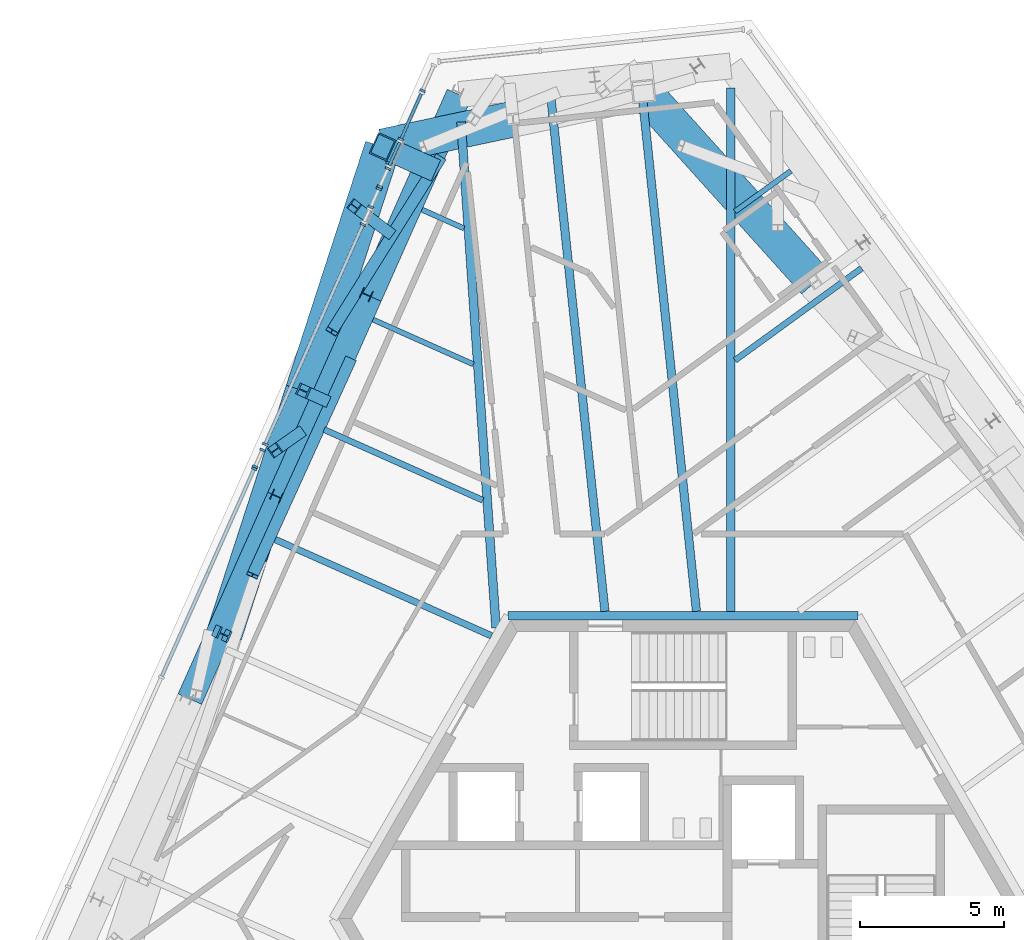
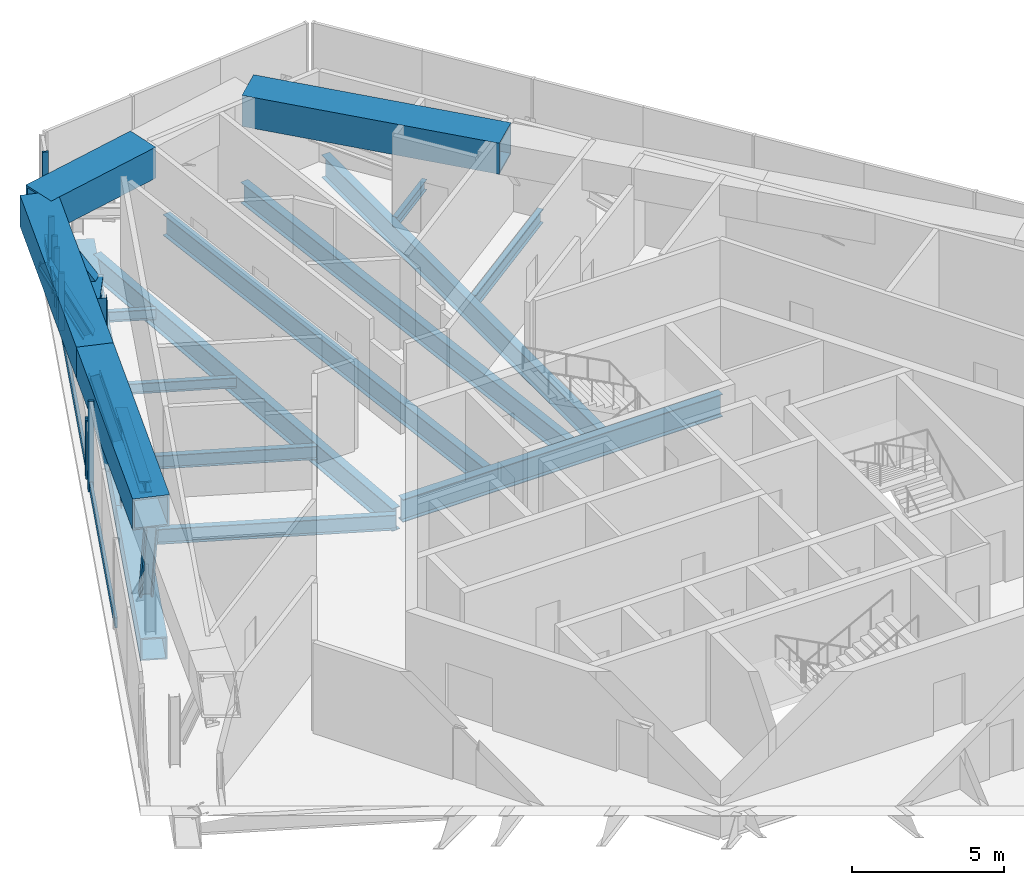
# One storey, part 6 of 23: 31 members, 11 beams, 8 elements without a shape of their own.
"""IFC4 building model written with IfcOpenShell, lengths in metres."""

from ifc_helpers import new_model, si_unit, direction, frame, origin, origin_2d, place, context, subcontext, project, spatial, rectangle, hollow_rectangle, i_section, extrude, source, transform, mapped, material, material_profile, profile_set, type_object, element, aggregate, save


model = new_model("IFC4")

# Units and contexts
model_context = context("Model", 3, precision=1e-05, world=origin(), true_north=direction((0.0, 1.0)))
body_context = subcontext(model_context, "Body", "Model", "MODEL_VIEW")
ifc_project = project(units=[si_unit("LENGTHUNIT", "METRE"), si_unit("AREAUNIT", "SQUARE_METRE"), si_unit("VOLUMEUNIT", "CUBIC_METRE"), si_unit("PLANEANGLEUNIT", "RADIAN"), si_unit("MASSUNIT", "GRAM", prefix="KILO")], contexts=[model_context])

# Site, building, storey
site_placement = place(None, origin())
site = spatial("IfcSite", under=ifc_project, at=site_placement, CompositionType="ELEMENT")
building_placement = place(site_placement, origin())
building = spatial("IfcBuilding", under=site, at=building_placement, Name="Triune Harvest Tower", CompositionType="ELEMENT")
storey_placement = place(building_placement, frame((0.0, 0.0, 255.699951171875)))
storey = spatial("IfcBuildingStorey", under=building, at=storey_placement, Name="L67", CompositionType="ELEMENT", Elevation=255.699951171875)

# Beams
ifc_material_1 = material(Name="Steel ASTM A992 Gr 50", Category="steel")
ifc_material_profile_1 = material_profile(ifc_material_1, i_section(OverallWidth=0.3046875, OverallDepth=0.914306640625, WebThickness=0.0166015625, FlangeThickness=0.02587890625, at=origin_2d()), Name="W36x160")
ifc_profile_set_1 = profile_set([ifc_material_profile_1], Name="Steel ASTM A992 Gr 50")
beam_type_1 = type_object("IfcBeamType", Name="HG-3 Hip girder W36x160", PredefinedType="BEAM", material=ifc_profile_set_1)
beam_1_placement = place(storey_placement, frame((-7.726806640625, 27.73095703125, -0.70703125), z_axis=(0.069123488328, -0.997608111114, 0.0), x_axis=(0.997608111114, 0.069123488328, 0.0)))
element("IfcBeam", 1, at=beam_1_placement, inside=storey, type_object=beam_type_1, Name="beam/L67/HG4", PredefinedType="BEAM", context=body_context, shape_type="SweptSolid", body=[
    extrude(i_section(OverallWidth=0.3046875, OverallDepth=0.914306640625, WebThickness=0.0166015625, FlangeThickness=0.02587890625, at=origin_2d()), origin(), (0.0, 0.0, 1.0), 17.649169921875),
])
ifc_material_2 = material(Name="Steel ASTM A992 Gr 50", Category="steel")
ifc_material_profile_2 = material_profile(ifc_material_2, i_section(OverallWidth=0.180908203125, OverallDepth=0.41650390625, WebThickness=0.010986328125, FlangeThickness=0.01806640625, at=origin_2d()), Name="W16x57")
ifc_profile_set_2 = profile_set([ifc_material_profile_2], Name="Steel ASTM A992 Gr 50")
beam_type_2 = type_object("IfcBeamType", Name="JT-1 Floor joist W16x57", PredefinedType="JOIST", material=ifc_profile_set_2)
beam_2_placement = place(storey_placement, frame((-9.085693359375, 24.6787109375, -0.458251953125), z_axis=(0.913509479616, -0.406817441431, 0.0), x_axis=(0.406817441431, 0.913509479616, 0.0)))
element("IfcBeam", 2, at=beam_2_placement, inside=storey, type_object=beam_type_2, Name="beam/L67/JT13", PredefinedType="JOIST", context=body_context, shape_type="SweptSolid", body=[
    extrude(i_section(OverallWidth=0.180908203125, OverallDepth=0.41650390625, WebThickness=0.010986328125, FlangeThickness=0.01806640625, at=origin_2d()), origin(), (0.0, 0.0, 1.0), 1.60107421875),
])
ifc_material_3 = material(Name="Steel ASTM A992 Gr 50", Category="steel")
ifc_material_profile_3 = material_profile(ifc_material_3, i_section(OverallWidth=0.2099609375, OverallDepth=0.535888671875, WebThickness=0.010986328125, FlangeThickness=0.017333984375, at=origin_2d()), Name="W21x68")
ifc_profile_set_3 = profile_set([ifc_material_profile_3], Name="Steel ASTM A992 Gr 50")
beam_type_3 = type_object("IfcBeamType", Name="JT-2 Floor joist W21x68", PredefinedType="JOIST", material=ifc_profile_set_3)
beam_3_placement = place(storey_placement, frame((6.218505859375, 22.6396484375, -0.51806640625), z_axis=(-0.809032449781, -0.587763979163, 0.0), x_axis=(0.587763979163, -0.809032449781, 0.0)))
element("IfcBeam", 3, at=beam_3_placement, inside=storey, type_object=beam_type_3, Name="beam/L67/JT9", PredefinedType="JOIST", context=body_context, shape_type="SweptSolid", body=[
    extrude(i_section(OverallWidth=0.2099609375, OverallDepth=0.535888671875, WebThickness=0.010986328125, FlangeThickness=0.017333984375, at=origin_2d()), origin(), (0.0, 0.0, 1.0), 5.448486328125),
])

# Curtain wall, member
ifc_material_4 = material(Name="Aluminium bronze anodised", Category="aluminium")
curtain_wall_type = type_object("IfcCurtainWallType", Name="CW-5 Plant louvre wall", PredefinedType="NOTDEFINED", material=ifc_material_4)
curtain_wall_1_placement = place(storey_placement, origin())
curtain_wall_1 = element("IfcCurtainWall", 4, at=curtain_wall_1_placement, inside=storey, type_object=curtain_wall_type, Name="CW-5 B6-F3 L67 run 101")
ifc_material_5 = material(Name="Aluminium bronze anodised", Category="aluminium")
ifc_material_profile_4 = material_profile(ifc_material_5, rectangle(XDim=0.10009765625, YDim=0.39990234375, at=origin_2d()), Name="TR-5 transom 100 x 400")
ifc_profile_set_4 = profile_set([ifc_material_profile_4], Name="Aluminium bronze anodised")
member_type_1 = type_object("IfcMemberType", Name="TR-5 transom 100 x 400", PredefinedType="USERDEFINED", material=ifc_profile_set_4)
member_1_placement = place(storey_placement, frame((-9.113525390625, 28.711181640625, 0.199951171875), z_axis=(-0.406700800519, -0.913561414935, 0.0), x_axis=(0.913561414935, -0.406700800519, 0.0)))
member_1 = element("IfcMember", 5, at=member_1_placement, type_object=member_type_1, Name="CW-5 transom B6-F3 101.1", ObjectType="TRANSOM", PredefinedType="USERDEFINED", context=body_context, shape_type="SweptSolid", body=[
    extrude(rectangle(XDim=0.10009765625, YDim=0.39990234375, at=origin_2d()), origin(), (0.0, 0.0, 1.0), 1.691650390625),
])

curtain_wall_2_placement = place(storey_placement, origin())
curtain_wall_2 = element("IfcCurtainWall", 6, at=curtain_wall_2_placement, inside=storey, type_object=curtain_wall_type, Name="CW-5 B6-F3 L67 run 201")
member_2_placement = place(storey_placement, frame((-9.866455078125, 27.019775390625, 0.199951171875), z_axis=(-0.40681145616, -0.913512145041, 0.0), x_axis=(0.913512145041, -0.40681145616, 0.0)))
member_2 = element("IfcMember", 7, at=member_2_placement, type_object=member_type_1, Name="CW-5 transom B6-F3 201.1", ObjectType="TRANSOM", PredefinedType="USERDEFINED", context=body_context, shape_type="SweptSolid", body=[
    extrude(rectangle(XDim=0.10009765625, YDim=0.39990234375, at=origin_2d()), origin(), (0.0, 0.0, 1.0), 0.875),
])
aggregate(curtain_wall_2, [member_2])

curtain_wall_3_placement = place(storey_placement, origin())
curtain_wall_3 = element("IfcCurtainWall", 8, at=curtain_wall_3_placement, inside=storey, type_object=curtain_wall_type, Name="CW-5 B6-F3 L67 run 601")
member_3_placement = place(storey_placement, frame((-11.15478515625, 24.126220703125, 0.199951171875), z_axis=(-0.406758322302, -0.913535805121, 0.0), x_axis=(0.913535805121, -0.406758322302, 0.0)))
member_3 = element("IfcMember", 9, at=member_3_placement, type_object=member_type_1, Name="CW-5 transom B6-F3 601.1", ObjectType="TRANSOM", PredefinedType="USERDEFINED", context=body_context, shape_type="SweptSolid", body=[
    extrude(rectangle(XDim=0.10009765625, YDim=0.39990234375, at=origin_2d()), origin(), (0.0, 0.0, 1.0), 8.294189453125),
])

# Beams
ifc_material_6 = material(Name="Steel ASTM A992 Gr 50", Category="steel")
ifc_material_profile_5 = material_profile(ifc_material_6, i_section(OverallWidth=0.3046875, OverallDepth=0.914306640625, WebThickness=0.0166015625, FlangeThickness=0.02587890625, at=origin_2d()), Name="W36x160")
ifc_profile_set_5 = profile_set([ifc_material_profile_5], Name="Steel ASTM A992 Gr 50")
beam_type_4 = type_object("IfcBeamType", Name="CG-1 Core ring girder W36x160", PredefinedType="BEAM", material=ifc_profile_set_5)
shared_shape_1 = source(origin(), body_context, "Body", "SweptSolid", [
    extrude(i_section(OverallWidth=0.3046875, OverallDepth=0.914306640625, WebThickness=0.0166015625, FlangeThickness=0.02587890625, at=origin_2d()), origin(), (0.0, 0.0, 1.0), 12.17578125),
])
beam_4_placement = place(storey_placement, frame((6.087890625, 10.544677734375, -0.70703125), z_axis=(-1.0, 0.0, 0.0), x_axis=(0.0, -1.0, 0.0)))
element("IfcBeam", 10, at=beam_4_placement, inside=storey, type_object=beam_type_4, Name="beam/L67/CG2", PredefinedType="BEAM", context=body_context, shape_type="MappedRepresentation", body=[
    mapped(shared_shape_1, transform((0.0, 0.0, 0.0), scale=1.0)),
])
shared_shape_2 = source(origin(), body_context, "Body", "SweptSolid", [
    extrude(i_section(OverallWidth=0.3046875, OverallDepth=0.914306640625, WebThickness=0.0166015625, FlangeThickness=0.02587890625, at=origin_2d()), origin(), (0.0, 0.0, 1.0), 18.218994140625),
])
beam_5_placement = place(storey_placement, frame((1.658203125, 28.916015625, -0.70703125), z_axis=(0.0, -1.0, 0.0), x_axis=(1.0, 0.0, 0.0)))
element("IfcBeam", 11, at=beam_5_placement, inside=storey, type_object=beam_type_1, Name="beam/L67/HG3", PredefinedType="BEAM", context=body_context, shape_type="MappedRepresentation", body=[
    mapped(shared_shape_2, transform((0.0, 0.0, 0.0), scale=1.0)),
])
shared_shape_3 = source(origin(), body_context, "Body", "SweptSolid", [
    extrude(i_section(OverallWidth=0.180908203125, OverallDepth=0.41650390625, WebThickness=0.010986328125, FlangeThickness=0.01806640625, at=origin_2d()), origin(), (0.0, 0.0, 1.0), 3.8251953125),
])
beam_6_placement = place(storey_placement, frame((-10.78955078125, 20.85205078125, -0.458251953125), z_axis=(0.91353497905, -0.406760177565, 0.0), x_axis=(0.406760177565, 0.91353497905, 0.0)))
element("IfcBeam", 12, at=beam_6_placement, inside=storey, type_object=beam_type_2, Name="beam/L67/JT14", PredefinedType="JOIST", context=body_context, shape_type="MappedRepresentation", body=[
    mapped(shared_shape_3, transform((0.0, 0.0, 0.0), scale=1.0)),
])
shared_shape_4 = source(origin(), body_context, "Body", "SweptSolid", [
    extrude(i_section(OverallWidth=0.2099609375, OverallDepth=0.535888671875, WebThickness=0.010986328125, FlangeThickness=0.017333984375, at=origin_2d()), origin(), (0.0, 0.0, 1.0), 6.048828125),
])
beam_7_placement = place(storey_placement, frame((-12.4931640625, 17.025390625, -0.51806640625), z_axis=(0.913550047722, -0.406726333432, 0.0), x_axis=(0.406726333432, 0.913550047722, 0.0)))
element("IfcBeam", 13, at=beam_7_placement, inside=storey, type_object=beam_type_3, Name="beam/L67/JT15", PredefinedType="JOIST", context=body_context, shape_type="MappedRepresentation", body=[
    mapped(shared_shape_4, transform((0.0, 0.0, 0.0), scale=1.0)),
])
ifc_material_7 = material(Name="Steel ASTM A992 Gr 50", Category="steel")
ifc_material_profile_6 = material_profile(ifc_material_7, i_section(OverallWidth=0.22900390625, OverallDepth=0.612060546875, WebThickness=0.011962890625, FlangeThickness=0.01953125, at=origin_2d()), Name="W24x84")
ifc_profile_set_6 = profile_set([ifc_material_profile_6], Name="Steel ASTM A992 Gr 50")
beam_type_5 = type_object("IfcBeamType", Name="JT-3 Floor joist W24x84", PredefinedType="JOIST", material=ifc_profile_set_6)
shared_shape_5 = source(origin(), body_context, "Body", "SweptSolid", [
    extrude(i_section(OverallWidth=0.22900390625, OverallDepth=0.612060546875, WebThickness=0.011962890625, FlangeThickness=0.01953125, at=origin_2d()), origin(), (0.0, 0.0, 1.0), 8.242431640625),
])
beam_8_placement = place(storey_placement, frame((-14.197021484375, 13.19873046875, -0.55615234375), z_axis=(0.913542630313, -0.406742993303, 0.0), x_axis=(0.406742993303, 0.913542630313, 0.0)))
element("IfcBeam", 14, at=beam_8_placement, inside=storey, type_object=beam_type_5, Name="beam/L67/JT16", PredefinedType="JOIST", context=body_context, shape_type="MappedRepresentation", body=[
    mapped(shared_shape_5, transform((0.0, 0.0, 0.0), scale=1.0)),
])
shared_shape_6 = source(origin(), body_context, "Body", "SweptSolid", [
    extrude(i_section(OverallWidth=0.180908203125, OverallDepth=0.41650390625, WebThickness=0.010986328125, FlangeThickness=0.01806640625, at=origin_2d()), origin(), (0.0, 0.0, 1.0), 2.405029296875),
])
beam_9_placement = place(storey_placement, frame((3.75634765625, 26.0283203125, -0.458251953125), z_axis=(-0.8090432507, -0.587749111864, 0.0), x_axis=(0.587749111864, -0.8090432507, 0.0)))
element("IfcBeam", 15, at=beam_9_placement, inside=storey, type_object=beam_type_2, Name="beam/L67/JT10", PredefinedType="JOIST", context=body_context, shape_type="MappedRepresentation", body=[
    mapped(shared_shape_6, transform((0.0, 0.0, 0.0), scale=1.0)),
])
ifc_material_8 = material(Name="Steel ASTM A992 Gr 50", Category="steel")
ifc_material_profile_7 = material_profile(ifc_material_8, i_section(OverallWidth=0.2919921875, OverallDepth=0.8408203125, WebThickness=0.0146484375, FlangeThickness=0.021728515625, at=origin_2d()), Name="W33x130")
ifc_profile_set_7 = profile_set([ifc_material_profile_7], Name="Steel ASTM A992 Gr 50")
beam_type_6 = type_object("IfcBeamType", Name="JT-6 Floor joist W33x130", PredefinedType="JOIST", material=ifc_profile_set_7)
shared_shape_7 = source(origin(), body_context, "Body", "SweptSolid", [
    extrude(i_section(OverallWidth=0.2919921875, OverallDepth=0.8408203125, WebThickness=0.0146484375, FlangeThickness=0.021728515625, at=origin_2d()), origin(), (0.0, 0.0, 1.0), 18.306396484375),
])
beam_10_placement = place(storey_placement, frame((-1.4453125, 28.903076171875, -0.67041015625), z_axis=(0.104543856331, -0.994520277372, 0.0), x_axis=(0.994520277372, 0.104543856331, 0.0)))
element("IfcBeam", 16, at=beam_10_placement, inside=storey, type_object=beam_type_6, Name="beam/L67/JT11", PredefinedType="JOIST", context=body_context, shape_type="MappedRepresentation", body=[
    mapped(shared_shape_7, transform((0.0, 0.0, 0.0), scale=1.0)),
])
shared_shape_8 = source(origin(), body_context, "Body", "SweptSolid", [
    extrude(i_section(OverallWidth=0.2919921875, OverallDepth=0.8408203125, WebThickness=0.0146484375, FlangeThickness=0.021728515625, at=origin_2d()), origin(), (0.0, 0.0, 1.0), 17.973388671875),
])
beam_11_placement = place(storey_placement, frame((-4.595703125, 28.572021484375, -0.67041015625), z_axis=(0.104537710696, -0.994520923381, 0.0), x_axis=(0.994520923381, 0.104537710696, 0.0)))
element("IfcBeam", 17, at=beam_11_placement, inside=storey, type_object=beam_type_6, Name="beam/L67/JT12", PredefinedType="JOIST", context=body_context, shape_type="MappedRepresentation", body=[
    mapped(shared_shape_8, transform((0.0, 0.0, 0.0), scale=1.0)),
])

# Members
ifc_material_9 = material(Name="Steel ASTM A992 Gr 50", Category="steel")
ifc_material_profile_8 = material_profile(ifc_material_9, i_section(OverallWidth=0.368408203125, OverallDepth=0.355712890625, WebThickness=0.01123046875, FlangeThickness=0.01806640625, at=origin_2d()), Name="W14x90")
ifc_profile_set_8 = profile_set([ifc_material_profile_8], Name="Steel ASTM A992 Gr 50")
member_type_2 = type_object("IfcMemberType", Name="WP-6 Roof edge post W14x90", PredefinedType="POST", material=ifc_profile_set_8)
shared_shape_9 = source(origin(), body_context, "Body", "SweptSolid", [
    extrude(i_section(OverallWidth=0.368408203125, OverallDepth=0.355712890625, WebThickness=0.01123046875, FlangeThickness=0.01806640625, at=origin_2d()), origin(), (0.0, 0.0, 1.0), 2.9755859375),
])
for number, where, z_axis, x_axis, name in (
    (18, (-11.026123046875, 21.7216796875, -0.25), (0.0, 0.0, 1.0), (-0.406738237513, -0.913544747752, 0.0), "post/L67/W9"),
    (19, (-14.149658203125, 14.7060546875, -0.25), (0.0, 0.0, 1.0), (-0.406738237513, -0.913544747752, 0.0), "post/L67/W10"),
):
    element("IfcMember", number, at=place(storey_placement, frame(where, z_axis=z_axis, x_axis=x_axis)), inside=storey, type_object=member_type_2, Name=name, PredefinedType="POST", context=body_context, shape_type="MappedRepresentation", body=[
        mapped(shared_shape_9, transform((0.0, 0.0, 0.0), scale=1.0)),
    ])
ifc_material_10 = material(Name="Steel ASTM A572 Gr 50", Category="steel")
ifc_material_profile_9 = material_profile(ifc_material_10, hollow_rectangle(XDim=0.89990234375, YDim=0.89990234375, WallThickness=0.050048828125, at=origin_2d()), Name="Box 900x900x50")
ifc_profile_set_9 = profile_set([ifc_material_profile_9], Name="Steel ASTM A572 Gr 50")
member_type_3 = type_object("IfcMemberType", Name="TC-2 Belt truss chord Box 900x900x50", PredefinedType="CHORD", material=ifc_profile_set_9)
shared_shape_10 = source(origin(), body_context, "Body", "SweptSolid", [
    extrude(hollow_rectangle(XDim=0.89990234375, YDim=0.89990234375, WallThickness=0.050048828125, at=origin_2d()), origin(), (0.0, 0.0, 1.0), 7.679443359375),
])
for number, where, z_axis, x_axis, name in (
    (20, (-10.91650390625, 21.6728515625, -0.699951171875), (-0.406734215399, -0.91354653851, 0.0), (0.91354653851, -0.406734215399, 0.0), "truss/L67/TCB10"),
    (21, (-14.0400390625, 14.6572265625, -0.699951171875), (-0.406772560004, -0.91352946555, 0.0), (0.91352946555, -0.406772560004, 0.0), "truss/L67/TCB11"),
):
    element("IfcMember", number, at=place(storey_placement, frame(where, z_axis=z_axis, x_axis=x_axis)), inside=storey, type_object=member_type_3, Name=name, PredefinedType="CHORD", context=body_context, shape_type="MappedRepresentation", body=[
        mapped(shared_shape_10, transform((0.0, 0.0, 0.0), scale=1.0)),
    ])
shared_shape_11 = source(origin(), body_context, "Body", "SweptSolid", [
    extrude(hollow_rectangle(XDim=0.89990234375, YDim=0.89990234375, WallThickness=0.050048828125, at=origin_2d()), origin(), (0.0, 0.0, 1.0), 7.67919921875),
])
member_4_placement = place(storey_placement, frame((-7.793212890625, 28.688232421875, -0.699951171875), z_axis=(-0.406719495596, -0.913553092, 0.0), x_axis=(0.913553092, -0.406719495596, 0.0)))
element("IfcMember", 22, at=member_4_placement, inside=storey, type_object=member_type_3, Name="truss/L67/TCB9", PredefinedType="CHORD", context=body_context, shape_type="MappedRepresentation", body=[
    mapped(shared_shape_11, transform((0.0, 0.0, 0.0), scale=1.0)),
])
ifc_material_11 = material(Name="Steel ASTM A572 Gr 50", Category="steel")
ifc_material_profile_10 = material_profile(ifc_material_11, hollow_rectangle(XDim=1.25, YDim=1.25, WallThickness=0.070068359375, at=origin_2d()), Name="Box 1250x1250x70")
ifc_profile_set_10 = profile_set([ifc_material_profile_10], Name="Steel ASTM A572 Gr 50")
member_type_4 = type_object("IfcMemberType", Name="TC-1 Belt truss chord Box 1250x1250x70", PredefinedType="CHORD", material=ifc_profile_set_10)
shared_shape_12 = source(origin(), body_context, "Body", "SweptSolid", [
    extrude(hollow_rectangle(XDim=1.25, YDim=1.25, WallThickness=0.070068359375, at=origin_2d()), origin(), (0.0, 0.0, 1.0), 8.927978515625),
])
for number, where, z_axis, x_axis, name in (
    (23, (4.59716796875, 22.159912109375, 3.01513671875), (-0.669111265063, 0.743162240003, 0.0), (-0.743162240003, -0.669111265063, 0.0), "truss/L67/TCT5"),
    (24, (-10.4541015625, 26.865478515625, 3.01513671875), (-0.309007542926, -0.951059587205, 0.0), (0.951059587205, -0.309007542926, 0.0), "truss/L67/TCT8"),
):
    element("IfcMember", number, at=place(storey_placement, frame(where, z_axis=z_axis, x_axis=x_axis)), inside=storey, type_object=member_type_4, Name=name, PredefinedType="CHORD", context=body_context, shape_type="MappedRepresentation", body=[
        mapped(shared_shape_12, transform((0.0, 0.0, 0.0), scale=1.0)),
    ])
shared_shape_13 = source(origin(), body_context, "Body", "SweptSolid", [
    extrude(hollow_rectangle(XDim=1.25, YDim=1.25, WallThickness=0.070068359375, at=origin_2d()), origin(), (0.0, 0.0, 1.0), 4.639892578125),
])
member_5_placement = place(storey_placement, frame((-5.91552734375, 27.830078125, 3.01513671875), z_axis=(-0.978152164129, -0.207890220574, 0.0), x_axis=(0.207890220574, -0.978152164129, 0.0)))
element("IfcMember", 25, at=member_5_placement, inside=storey, type_object=member_type_4, Name="truss/L67/TCT7", PredefinedType="CHORD", context=body_context, shape_type="MappedRepresentation", body=[
    mapped(shared_shape_13, transform((0.0, 0.0, 0.0), scale=1.0)),
])
shared_shape_14 = source(origin(), body_context, "Body", "SweptSolid", [
    extrude(hollow_rectangle(XDim=1.25, YDim=1.25, WallThickness=0.070068359375, at=origin_2d()), origin(), (0.0, 0.0, 1.0), 8.92822265625),
])
member_6_placement = place(storey_placement, frame((-13.212890625, 18.37451171875, 3.01513671875), z_axis=(-0.309024240462, -0.951054161868, 0.0), x_axis=(0.951054161868, -0.309024240462, 0.0)))
element("IfcMember", 26, at=member_6_placement, inside=storey, type_object=member_type_4, Name="truss/L67/TCT9", PredefinedType="CHORD", context=body_context, shape_type="MappedRepresentation", body=[
    mapped(shared_shape_14, transform((0.0, 0.0, 0.0), scale=1.0)),
])
ifc_material_12 = material(Name="Steel ASTM A572 Gr 50", Category="steel")
ifc_material_profile_11 = material_profile(ifc_material_12, hollow_rectangle(XDim=0.800048828125, YDim=0.800048828125, WallThickness=0.050048828125, at=origin_2d()), Name="Box 800x800x50")
ifc_profile_set_11 = profile_set([ifc_material_profile_11], Name="Steel ASTM A572 Gr 50")
member_type_5 = type_object("IfcMemberType", Name="TS-2 Belt truss raked strut Box 800x800x50", PredefinedType="STRUT", material=ifc_profile_set_11)
shared_shape_15 = source(origin(), body_context, "Body", "SweptSolid", [
    extrude(hollow_rectangle(XDim=0.800048828125, YDim=0.800048828125, WallThickness=0.050048828125, at=origin_2d()), origin(), (0.0, 0.0, 1.0), 3.18505859375),
])
member_7_placement = place(storey_placement, frame((-8.91064453125, 26.17822265625, -0.27490234375), z_axis=(-0.484599706833, 0.215777946019, 0.847704548855), x_axis=(-0.406768510232, -0.913531268805, 0.0)))
element("IfcMember", 27, at=member_7_placement, inside=storey, type_object=member_type_5, Name="truss/L67/TS8", PredefinedType="STRUT", context=body_context, shape_type="MappedRepresentation", body=[
    mapped(shared_shape_15, transform((0.0, 0.0, 0.0), scale=1.0)),
])
ifc_material_13 = material(Name="Steel ASTM A992 Gr 50", Category="steel")
ifc_material_profile_12 = material_profile(ifc_material_13, i_section(OverallWidth=0.411376953125, OverallDepth=0.434326171875, WebThickness=0.035888671875, FlangeThickness=0.057373046875, at=origin_2d()), Name="W14x311")
ifc_profile_set_12 = profile_set([ifc_material_profile_12], Name="Steel ASTM A992 Gr 50")
member_type_6 = type_object("IfcMemberType", Name="TV-1 Belt truss strut W14x311", PredefinedType="STRUT", material=ifc_profile_set_12)
shared_shape_16 = source(origin(), body_context, "Body", "SweptSolid", [
    extrude(i_section(OverallWidth=0.411376953125, OverallDepth=0.434326171875, WebThickness=0.035888671875, FlangeThickness=0.057373046875, at=origin_2d()), origin(), (0.0, 0.0, 1.0), 2.705810546875),
])
member_8_placement = place(storey_placement, frame((-16.133544921875, 9.955322265625, -0.27490234375), z_axis=(0.059732612424, -0.026618007047, 0.997859457396), x_axis=(0.407034415026, 0.913412822871, 0.0)))
element("IfcMember", 28, at=member_8_placement, inside=storey, type_object=member_type_6, Name="truss/L67/TS10", PredefinedType="STRUT", context=body_context, shape_type="MappedRepresentation", body=[
    mapped(shared_shape_16, transform((0.0, 0.0, 0.0), scale=1.0)),
])
shared_shape_17 = source(origin(), body_context, "Body", "SweptSolid", [
    extrude(i_section(OverallWidth=0.411376953125, OverallDepth=0.434326171875, WebThickness=0.035888671875, FlangeThickness=0.057373046875, at=origin_2d()), origin(), (0.0, 0.0, 1.0), 2.8037109375),
])
member_9_placement = place(storey_placement, frame((-12.522216796875, 18.06689453125, -0.27490234375), z_axis=(-0.246333337124, 0.109713681434, 0.962955240459), x_axis=(-0.406857381351, -0.913491691938, 0.0)))
element("IfcMember", 29, at=member_9_placement, inside=storey, type_object=member_type_6, Name="truss/L67/TS9", PredefinedType="STRUT", context=body_context, shape_type="MappedRepresentation", body=[
    mapped(shared_shape_17, transform((0.0, 0.0, 0.0), scale=1.0)),
])
ifc_material_14 = material(Name="Steel ASTM A992 Gr 50", Category="steel")
ifc_material_profile_13 = material_profile(ifc_material_14, i_section(OverallWidth=0.40380859375, OverallDepth=0.406494140625, WebThickness=0.027099609375, FlangeThickness=0.043701171875, at=origin_2d()), Name="W14x233")
ifc_profile_set_13 = profile_set([ifc_material_profile_13], Name="Steel ASTM A992 Gr 50")
member_type_7 = type_object("IfcMemberType", Name="TD-3 Belt truss diagonal W14x233", PredefinedType="BRACE", material=ifc_profile_set_13)
shared_shape_18 = source(origin(), body_context, "Body", "SweptSolid", [
    extrude(i_section(OverallWidth=0.40380859375, OverallDepth=0.406494140625, WebThickness=0.027099609375, FlangeThickness=0.043701171875, at=origin_2d()), origin(), (0.0, 0.0, 1.0), 7.615966796875),
])
member_10_placement = place(storey_placement, frame((-8.4560546875, 26.461669921875, -0.324951171875), z_axis=(-0.495143353766, -0.790222634578, 0.361083434988), x_axis=(0.847393282399, -0.530965747431, 0.0)))
element("IfcMember", 30, at=member_10_placement, inside=storey, type_object=member_type_7, Name="truss/L67/TD15", PredefinedType="BRACE", context=body_context, shape_type="MappedRepresentation", body=[
    mapped(shared_shape_18, transform((0.0, 0.0, 0.0), scale=1.0)),
])
shared_shape_19 = source(origin(), body_context, "Body", "SweptSolid", [
    extrude(i_section(OverallWidth=0.40380859375, OverallDepth=0.406494140625, WebThickness=0.027099609375, FlangeThickness=0.043701171875, at=origin_2d()), origin(), (0.0, 0.0, 1.0), 3.12646484375),
])
member_11_placement = place(storey_placement, frame((-10.253662109375, 23.8994140625, -0.324951171875), z_axis=(-0.379507364773, 0.286895073699, 0.879582501401), x_axis=(-0.603042046136, -0.797709402347, 0.0)))
element("IfcMember", 31, at=member_11_placement, inside=storey, type_object=member_type_7, Name="truss/L67/TD16", PredefinedType="BRACE", context=body_context, shape_type="MappedRepresentation", body=[
    mapped(shared_shape_19, transform((0.0, 0.0, 0.0), scale=1.0)),
])
shared_shape_20 = source(origin(), body_context, "Body", "SweptSolid", [
    extrude(i_section(OverallWidth=0.40380859375, OverallDepth=0.406494140625, WebThickness=0.027099609375, FlangeThickness=0.043701171875, at=origin_2d()), origin(), (0.0, 0.0, 1.0), 8.6787109375),
])
member_12_placement = place(storey_placement, frame((-11.57958984375, 19.446044921875, -0.324951171875), z_axis=(-0.392483817054, -0.863453145116, 0.316867668814), x_axis=(0.910364445989, -0.413807413515, 0.0)))
element("IfcMember", 32, at=member_12_placement, inside=storey, type_object=member_type_7, Name="truss/L67/TD17", PredefinedType="BRACE", context=body_context, shape_type="MappedRepresentation", body=[
    mapped(shared_shape_20, transform((0.0, 0.0, 0.0), scale=1.0)),
])
shared_shape_21 = source(origin(), body_context, "Body", "SweptSolid", [
    extrude(i_section(OverallWidth=0.40380859375, OverallDepth=0.406494140625, WebThickness=0.027099609375, FlangeThickness=0.043701171875, at=origin_2d()), origin(), (0.0, 0.0, 1.0), 2.927978515625),
])
member_13_placement = place(storey_placement, frame((-13.377197265625, 16.884033203125, -0.324951171875), z_axis=(-0.280671035348, -0.197620425958, 0.93923902025), x_axis=(0.575710004313, -0.817653955493, 0.0)))
element("IfcMember", 33, at=member_13_placement, inside=storey, type_object=member_type_7, Name="truss/L67/TD18", PredefinedType="BRACE", context=body_context, shape_type="MappedRepresentation", body=[
    mapped(shared_shape_21, transform((0.0, 0.0, 0.0), scale=1.0)),
])

# Curtain wall, member
curtain_wall_4_placement = place(storey_placement, origin())
curtain_wall_4 = element("IfcCurtainWall", 34, at=curtain_wall_4_placement, inside=storey, type_object=curtain_wall_type, Name="CW-5 B6-F3 L67 run 1")
ifc_material_15 = material(Name="Aluminium bronze anodised", Category="aluminium")
ifc_material_profile_14 = material_profile(ifc_material_15, rectangle(XDim=0.199951171875, YDim=0.080078125, at=origin_2d()), Name="MU-5 mullion 80 x 200")
ifc_profile_set_14 = profile_set([ifc_material_profile_14], Name="Aluminium bronze anodised")
member_type_8 = type_object("IfcMemberType", Name="MU-5 mullion 80 x 200", PredefinedType="MULLION", material=ifc_profile_set_14)
shared_shape_22 = source(origin(), body_context, "Body", "SweptSolid", [
    extrude(rectangle(XDim=0.199951171875, YDim=0.080078125, at=origin_2d()), origin(), (0.0, 0.0, 1.0), 3.64013671875),
])
member_14_placement = place(storey_placement, frame((-9.064697265625, 28.82080078125, 0.0), z_axis=(0.0, 0.0, 1.0), x_axis=(0.913551634682, -0.406722768934, 0.0)))
member_14 = element("IfcMember", 35, at=member_14_placement, type_object=member_type_8, Name="CW-5 mullion B6-F3 1.2", PredefinedType="MULLION", context=body_context, shape_type="MappedRepresentation", body=[
    mapped(shared_shape_22, transform((0.0, 0.0, 0.0), scale=1.0)),
])
aggregate(curtain_wall_4, [member_14])

curtain_wall_5_placement = place(storey_placement, origin())
curtain_wall_5 = element("IfcCurtainWall", 36, at=curtain_wall_5_placement, inside=storey, type_object=curtain_wall_type, Name="CW-5 B6-F3 L67 run 801")
member_15_placement = place(storey_placement, frame((-14.924072265625, 15.66064453125, 0.0), z_axis=(0.0, 0.0, 1.0), x_axis=(0.913545020627, -0.406737624627, 0.0)))
member_15 = element("IfcMember", 37, at=member_15_placement, type_object=member_type_8, Name="CW-5 mullion B6-F3 801.1", PredefinedType="MULLION", context=body_context, shape_type="MappedRepresentation", body=[
    mapped(shared_shape_22, transform((0.0, 0.0, 0.0), scale=1.0)),
])

# Member
shared_shape_23 = source(origin(), body_context, "Body", "SweptSolid", [
    extrude(rectangle(XDim=0.199951171875, YDim=0.080078125, at=origin_2d()), origin(), (0.0, 0.0, 1.0), 2.330078125),
])
member_16_placement = place(storey_placement, frame((-9.817626953125, 27.12939453125, 0.0), z_axis=(0.0, 0.0, 1.0), x_axis=(0.913546324813, -0.406734695374, 0.0)))
member_16 = element("IfcMember", 38, at=member_16_placement, type_object=member_type_8, Name="CW-5 mullion B6-F3 101.2", PredefinedType="MULLION", context=body_context, shape_type="MappedRepresentation", body=[
    mapped(shared_shape_23, transform((0.0, 0.0, 0.0), scale=1.0)),
])

aggregate(curtain_wall_1, [member_16, member_1])

# Curtain wall, members
curtain_wall_6_placement = place(storey_placement, origin())
curtain_wall_6 = element("IfcCurtainWall", 39, at=curtain_wall_6_placement, inside=storey, type_object=curtain_wall_type, Name="CW-5 B6-F3 L67 run 301")
member_17_placement = place(storey_placement, frame((-10.271240234375, 26.11083984375, 0.0), z_axis=(0.0, 0.0, 1.0), x_axis=(0.913555636304, -0.406713780658, 0.0)))
member_17 = element("IfcMember", 40, at=member_17_placement, type_object=member_type_8, Name="CW-5 mullion B6-F3 301.1", PredefinedType="MULLION", context=body_context, shape_type="MappedRepresentation", body=[
    mapped(shared_shape_23, transform((0.0, 0.0, 0.0), scale=1.0)),
])
member_18_placement = place(storey_placement, frame((-10.553466796875, 25.476806640625, 0.0), z_axis=(0.0, 0.0, 1.0), x_axis=(0.913555636304, -0.406713780658, 0.0)))
member_18 = element("IfcMember", 41, at=member_18_placement, type_object=member_type_8, Name="CW-5 mullion B6-F3 301.2", PredefinedType="MULLION", context=body_context, shape_type="MappedRepresentation", body=[
    mapped(shared_shape_23, transform((0.0, 0.0, 0.0), scale=1.0)),
])
aggregate(curtain_wall_6, [member_17, member_18])

# Member
member_19_placement = place(storey_placement, frame((-11.138671875, 24.162841796875, 0.0), z_axis=(0.0, 0.0, 1.0), x_axis=(0.913546501496, -0.406734298534, 0.0)))
member_19 = element("IfcMember", 42, at=member_19_placement, type_object=member_type_8, Name="CW-5 mullion B6-F3 601.1", PredefinedType="MULLION", context=body_context, shape_type="MappedRepresentation", body=[
    mapped(shared_shape_23, transform((0.0, 0.0, 0.0), scale=1.0)),
])

member_20_placement = place(storey_placement, frame((-14.544677734375, 16.512451171875, 0.0), z_axis=(0.0, 0.0, 1.0), x_axis=(0.913546501496, -0.406734298534, 0.0)))
member_20 = element("IfcMember", 43, at=member_20_placement, type_object=member_type_8, Name="CW-5 mullion B6-F3 601.3", PredefinedType="MULLION", context=body_context, shape_type="MappedRepresentation", body=[
    mapped(shared_shape_23, transform((0.0, 0.0, 0.0), scale=1.0)),
])

aggregate(curtain_wall_3, [member_19, member_20, member_3])

# Curtain wall, members
curtain_wall_7_placement = place(storey_placement, origin())
curtain_wall_7 = element("IfcCurtainWall", 44, at=curtain_wall_7_placement, inside=storey, type_object=curtain_wall_type, Name="CW-5 B6-F3 L67 run 701")
member_21_placement = place(storey_placement, frame((-14.634765625, 16.310302734375, 0.0), z_axis=(0.0, 0.0, 1.0), x_axis=(0.913527210813, -0.406777623651, 0.0)))
member_21 = element("IfcMember", 45, at=member_21_placement, type_object=member_type_8, Name="CW-5 mullion B6-F3 701.1", PredefinedType="MULLION", context=body_context, shape_type="MappedRepresentation", body=[
    mapped(shared_shape_23, transform((0.0, 0.0, 0.0), scale=1.0)),
])
member_22_placement = place(storey_placement, frame((-14.891357421875, 15.733642578125, 0.0), z_axis=(0.0, 0.0, 1.0), x_axis=(0.913527210813, -0.406777623651, 0.0)))
member_22 = element("IfcMember", 46, at=member_22_placement, type_object=member_type_8, Name="CW-5 mullion B6-F3 701.2", PredefinedType="MULLION", context=body_context, shape_type="MappedRepresentation", body=[
    mapped(shared_shape_23, transform((0.0, 0.0, 0.0), scale=1.0)),
])
aggregate(curtain_wall_7, [member_21, member_22])

# Member
shared_shape_24 = source(origin(), body_context, "Body", "SweptSolid", [
    extrude(rectangle(XDim=0.10009765625, YDim=0.39990234375, at=origin_2d()), origin(), (0.0, 0.0, 1.0), 7.861572265625),
])
member_23_placement = place(storey_placement, frame((-14.940185546875, 15.6240234375, 0.199951171875), z_axis=(-0.406754986268, -0.913537290506, 0.0), x_axis=(0.913537290506, -0.406754986268, 0.0)))
member_23 = element("IfcMember", 47, at=member_23_placement, type_object=member_type_1, Name="CW-5 transom B6-F3 801.1", ObjectType="TRANSOM", PredefinedType="USERDEFINED", context=body_context, shape_type="MappedRepresentation", body=[
    mapped(shared_shape_24, transform((0.0, 0.0, 0.0), scale=1.0)),
])

aggregate(curtain_wall_5, [member_15, member_23])

# Curtain wall, members
curtain_wall_8_placement = place(storey_placement, origin())
curtain_wall_8 = element("IfcCurtainWall", 48, at=curtain_wall_8_placement, inside=storey, type_object=curtain_wall_type, Name="CW-5 B6-F3 L67 run 401")
shared_shape_25 = source(origin(), body_context, "Body", "SweptSolid", [
    extrude(rectangle(XDim=0.199951171875, YDim=0.080078125, at=origin_2d()), origin(), (0.0, 0.0, 1.0), 1.161865234375),
])
member_24_placement = place(storey_placement, frame((-10.586181640625, 25.403564453125, 0.0), z_axis=(0.0, 0.0, 1.0), x_axis=(0.91353426117, -0.406761789834, 0.0)))
member_24 = element("IfcMember", 49, at=member_24_placement, type_object=member_type_8, Name="CW-5 mullion B6-F3 401.1", PredefinedType="MULLION", context=body_context, shape_type="MappedRepresentation", body=[
    mapped(shared_shape_25, transform((0.0, 0.0, 0.0), scale=1.0)),
])
member_25_placement = place(storey_placement, frame((-10.868408203125, 24.769775390625, 0.0), z_axis=(0.0, 0.0, 1.0), x_axis=(0.91353426117, -0.406761789834, 0.0)))
member_25 = element("IfcMember", 50, at=member_25_placement, type_object=member_type_8, Name="CW-5 mullion B6-F3 401.2", PredefinedType="MULLION", context=body_context, shape_type="MappedRepresentation", body=[
    mapped(shared_shape_25, transform((0.0, 0.0, 0.0), scale=1.0)),
])
aggregate(curtain_wall_8, [member_24, member_25])

save(model, "model.ifc")
